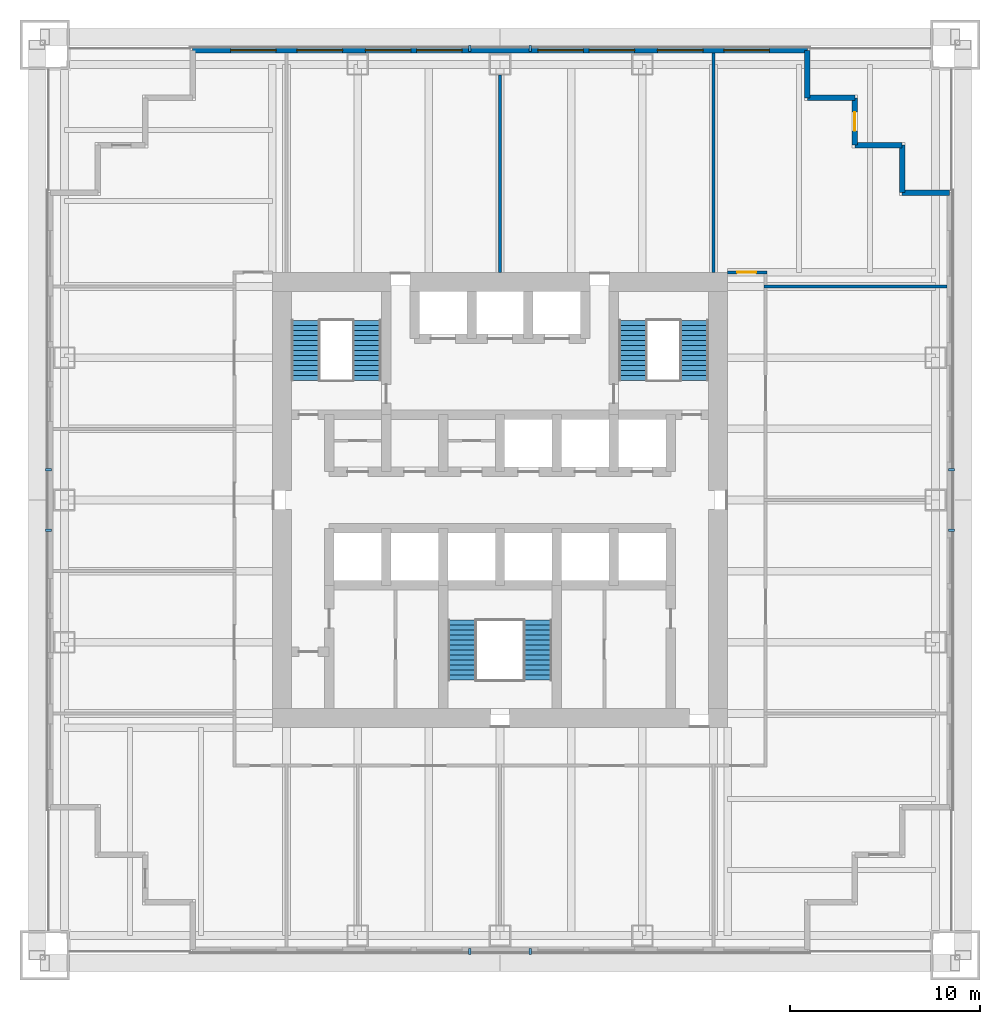
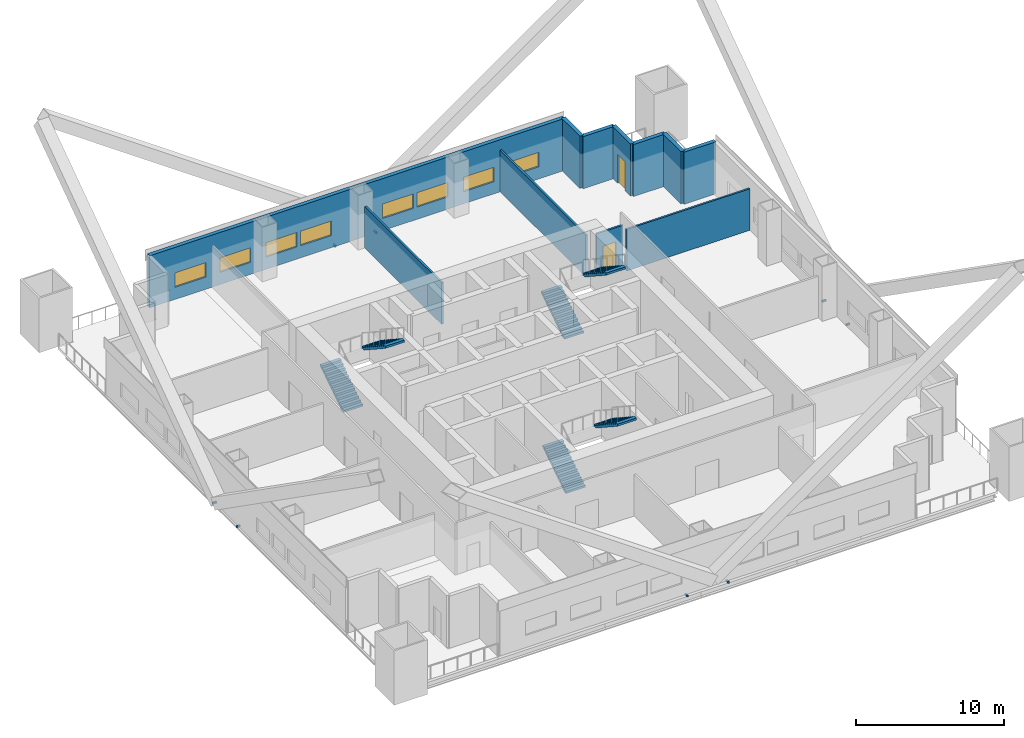
# One storey, part 5 of 7: 11 walls, 8 discrete accessories, 8 windows, 6 stair flights, 2 doors, 10 openings, 3 elements without a shape of their own.
"""IFC4 building model written with IfcOpenShell, lengths in metres."""

from ifc_helpers import new_model, si_unit, direction, frame, frame_2d, origin, origin_2d, place, context, subcontext, project, spatial, polyline, rectangle, outline, extrude, material, layer, layer_set, type_object, element, fill, aggregate, save


model = new_model("IFC4")

# Units and contexts
model_context = context("Model", 3, precision=1e-05, world=origin(), true_north=direction((0.0, 1.0)))
body_context = subcontext(model_context, "Body", "Model", "MODEL_VIEW")
ifc_project = project(units=[si_unit("LENGTHUNIT", "METRE"), si_unit("AREAUNIT", "SQUARE_METRE"), si_unit("VOLUMEUNIT", "CUBIC_METRE"), si_unit("PLANEANGLEUNIT", "RADIAN"), si_unit("MASSUNIT", "GRAM", prefix="KILO")], contexts=[model_context])

# Site, building, storey
site_placement = place(None, origin())
site = spatial("IfcSite", under=ifc_project, at=site_placement, CompositionType="ELEMENT")
building_placement = place(site_placement, origin())
building = spatial("IfcBuilding", under=site, at=building_placement, Name="Tarangal Relay Tower", CompositionType="ELEMENT")
storey_placement = place(building_placement, frame((0.0, 0.0, 153.89990234375)))
storey = spatial("IfcBuildingStorey", under=building, at=storey_placement, Name="L31", CompositionType="ELEMENT", Elevation=153.89990234375)

# Wall, openings, windows
ifc_material_1 = material(Name="Insulated precast concrete fc' 40 MPa", Category="concrete")
ifc_layer_1 = layer(ifc_material_1, 0.300048828125)
ifc_layer_set_1 = layer_set([ifc_layer_1], Name="Insulated precast concrete fc' 40 MPa")
wall_type_1 = type_object("IfcWallType", Name="Facade wall precast 300", PredefinedType="SOLIDWALL", material=ifc_layer_set_1)
wall_1_placement = place(storey_placement, frame((-16.199951171875, 23.699951171875, 0.0), z_axis=(0.0, 0.0, 1.0), x_axis=(1.0, 0.0, 0.0)))
wall_1 = element("IfcWall", 1, at=wall_1_placement, inside=storey, type_object=wall_type_1, Name="Facade wall N facade L31", PredefinedType="SOLIDWALL", context=body_context, shape_type="SweptSolid", body=[
    extrude(rectangle(XDim=32.39990234375, YDim=0.300048828125, at=frame_2d((16.199951171875, 0.0))), origin(), (0.0, 0.0, 1.0), 4.300048828125),
])
opening_1_placement = place(wall_1_placement, frame((2.0, 0.0, 1.0)))
opening_1 = element("IfcOpeningElement", 2, at=opening_1_placement, cuts=wall_1, Name="Opening WN1", PredefinedType="OPENING", context=body_context, shape_type="SweptSolid", body=[
    extrude(rectangle(XDim=2.39990234375, YDim=1.199951171875, at=frame_2d((1.199951171875, 0.60009765625))), frame((0.0, 0.159912109375, 0.0), z_axis=(0.0, -1.0, 0.0), x_axis=(1.0, 0.0, 0.0)), (0.0, 0.0, 1.0), 0.320068359375),
])
opening_2_placement = place(wall_1_placement, frame((5.5, 0.0, 1.0)))
opening_2 = element("IfcOpeningElement", 3, at=opening_2_placement, cuts=wall_1, Name="Opening WN1", PredefinedType="OPENING", context=body_context, shape_type="SweptSolid", body=[
    extrude(rectangle(XDim=2.39990234375, YDim=1.199951171875, at=frame_2d((1.199951171875, 0.60009765625))), frame((0.0, 0.159912109375, 0.0), z_axis=(0.0, -1.0, 0.0), x_axis=(1.0, 0.0, 0.0)), (0.0, 0.0, 1.0), 0.320068359375),
])
opening_3_placement = place(wall_1_placement, frame((9.10009765625, 0.0, 1.0)))
opening_3 = element("IfcOpeningElement", 4, at=opening_3_placement, cuts=wall_1, Name="Opening WN1", PredefinedType="OPENING", context=body_context, shape_type="SweptSolid", body=[
    extrude(rectangle(XDim=2.39990234375, YDim=1.199951171875, at=frame_2d((1.199951171875, 0.60009765625))), frame((0.0, 0.159912109375, 0.0), z_axis=(0.0, -1.0, 0.0), x_axis=(1.0, 0.0, 0.0)), (0.0, 0.0, 1.0), 0.320068359375),
])
opening_4_placement = place(wall_1_placement, frame((11.800048828125, 0.0, 1.0)))
opening_4 = element("IfcOpeningElement", 5, at=opening_4_placement, cuts=wall_1, Name="Opening WN1", PredefinedType="OPENING", context=body_context, shape_type="SweptSolid", body=[
    extrude(rectangle(XDim=2.39990234375, YDim=1.199951171875, at=frame_2d((1.199951171875, 0.60009765625))), frame((0.0, 0.159912109375, 0.0), z_axis=(0.0, -1.0, 0.0), x_axis=(1.0, 0.0, 0.0)), (0.0, 0.0, 1.0), 0.320068359375),
])
opening_5_placement = place(wall_1_placement, frame((18.199951171875, 0.0, 1.0)))
opening_5 = element("IfcOpeningElement", 6, at=opening_5_placement, cuts=wall_1, Name="Opening WN1", PredefinedType="OPENING", context=body_context, shape_type="SweptSolid", body=[
    extrude(rectangle(XDim=2.39990234375, YDim=1.199951171875, at=frame_2d((1.199951171875, 0.60009765625))), frame((0.0, 0.159912109375, 0.0), z_axis=(0.0, -1.0, 0.0), x_axis=(1.0, 0.0, 0.0)), (0.0, 0.0, 1.0), 0.320068359375),
])
opening_6_placement = place(wall_1_placement, frame((20.89990234375, 0.0, 1.0)))
opening_6 = element("IfcOpeningElement", 7, at=opening_6_placement, cuts=wall_1, Name="Opening WN1", PredefinedType="OPENING", context=body_context, shape_type="SweptSolid", body=[
    extrude(rectangle(XDim=2.39990234375, YDim=1.199951171875, at=frame_2d((1.199951171875, 0.60009765625))), frame((0.0, 0.159912109375, 0.0), z_axis=(0.0, -1.0, 0.0), x_axis=(1.0, 0.0, 0.0)), (0.0, 0.0, 1.0), 0.320068359375),
])
opening_7_placement = place(wall_1_placement, frame((24.5, 0.0, 1.0)))
opening_7 = element("IfcOpeningElement", 8, at=opening_7_placement, cuts=wall_1, Name="Opening WN1", PredefinedType="OPENING", context=body_context, shape_type="SweptSolid", body=[
    extrude(rectangle(XDim=2.39990234375, YDim=1.199951171875, at=frame_2d((1.199951171875, 0.60009765625))), frame((0.0, 0.159912109375, 0.0), z_axis=(0.0, -1.0, 0.0), x_axis=(1.0, 0.0, 0.0)), (0.0, 0.0, 1.0), 0.320068359375),
])
opening_8_placement = place(wall_1_placement, frame((28.0, 0.0, 1.0)))
opening_8 = element("IfcOpeningElement", 9, at=opening_8_placement, cuts=wall_1, Name="Opening WN1", PredefinedType="OPENING", context=body_context, shape_type="SweptSolid", body=[
    extrude(rectangle(XDim=2.39990234375, YDim=1.199951171875, at=frame_2d((1.199951171875, 0.60009765625))), frame((0.0, 0.159912109375, 0.0), z_axis=(0.0, -1.0, 0.0), x_axis=(1.0, 0.0, 0.0)), (0.0, 0.0, 1.0), 0.320068359375),
])
ifc_material_2 = material(Name="Dark tinted double glazing in black aluminium frame", Category="aluminium")
window_type = type_object("IfcWindowType", Name="Ribbon window 2400 x 1200", PartitioningType="SINGLE_PANEL", PredefinedType="WINDOW", material=ifc_material_2)
window_1_placement = place(opening_1_placement, origin())
window_1 = element("IfcWindow", 10, at=window_1_placement, inside=storey, type_object=window_type, Name="Ribbon window WN1 N facade L31", OverallHeight=1.199951171875, OverallWidth=2.39990234375, PartitioningType="SINGLE_PANEL", PredefinedType="WINDOW", context=body_context, shape_type="SweptSolid", body=[
    extrude(rectangle(XDim=2.39990234375, YDim=1.199951171875, at=frame_2d((1.199951171875, 0.60009765625))), frame((0.0, 0.030029296875, 0.0), z_axis=(0.0, -1.0, 0.0), x_axis=(1.0, 0.0, 0.0)), (0.0, 0.0, 1.0), 0.06005859375),
])
fill(opening_1, window_1)
window_2_placement = place(opening_2_placement, origin())
window_2 = element("IfcWindow", 11, at=window_2_placement, inside=storey, type_object=window_type, Name="Ribbon window WN1 N facade L31", OverallHeight=1.199951171875, OverallWidth=2.39990234375, PartitioningType="SINGLE_PANEL", PredefinedType="WINDOW", context=body_context, shape_type="SweptSolid", body=[
    extrude(rectangle(XDim=2.39990234375, YDim=1.199951171875, at=frame_2d((1.199951171875, 0.60009765625))), frame((0.0, 0.030029296875, 0.0), z_axis=(0.0, -1.0, 0.0), x_axis=(1.0, 0.0, 0.0)), (0.0, 0.0, 1.0), 0.06005859375),
])
fill(opening_2, window_2)
window_3_placement = place(opening_3_placement, origin())
window_3 = element("IfcWindow", 12, at=window_3_placement, inside=storey, type_object=window_type, Name="Ribbon window WN1 N facade L31", OverallHeight=1.199951171875, OverallWidth=2.39990234375, PartitioningType="SINGLE_PANEL", PredefinedType="WINDOW", context=body_context, shape_type="SweptSolid", body=[
    extrude(rectangle(XDim=2.39990234375, YDim=1.199951171875, at=frame_2d((1.199951171875, 0.60009765625))), frame((0.0, 0.030029296875, 0.0), z_axis=(0.0, -1.0, 0.0), x_axis=(1.0, 0.0, 0.0)), (0.0, 0.0, 1.0), 0.06005859375),
])
fill(opening_3, window_3)
window_4_placement = place(opening_4_placement, origin())
window_4 = element("IfcWindow", 13, at=window_4_placement, inside=storey, type_object=window_type, Name="Ribbon window WN1 N facade L31", OverallHeight=1.199951171875, OverallWidth=2.39990234375, PartitioningType="SINGLE_PANEL", PredefinedType="WINDOW", context=body_context, shape_type="SweptSolid", body=[
    extrude(rectangle(XDim=2.39990234375, YDim=1.199951171875, at=frame_2d((1.199951171875, 0.60009765625))), frame((0.0, 0.030029296875, 0.0), z_axis=(0.0, -1.0, 0.0), x_axis=(1.0, 0.0, 0.0)), (0.0, 0.0, 1.0), 0.06005859375),
])
fill(opening_4, window_4)
window_5_placement = place(opening_5_placement, origin())
window_5 = element("IfcWindow", 14, at=window_5_placement, inside=storey, type_object=window_type, Name="Ribbon window WN1 N facade L31", OverallHeight=1.199951171875, OverallWidth=2.39990234375, PartitioningType="SINGLE_PANEL", PredefinedType="WINDOW", context=body_context, shape_type="SweptSolid", body=[
    extrude(rectangle(XDim=2.39990234375, YDim=1.199951171875, at=frame_2d((1.199951171875, 0.60009765625))), frame((0.0, 0.030029296875, 0.0), z_axis=(0.0, -1.0, 0.0), x_axis=(1.0, 0.0, 0.0)), (0.0, 0.0, 1.0), 0.06005859375),
])
fill(opening_5, window_5)
window_6_placement = place(opening_6_placement, origin())
window_6 = element("IfcWindow", 15, at=window_6_placement, inside=storey, type_object=window_type, Name="Ribbon window WN1 N facade L31", OverallHeight=1.199951171875, OverallWidth=2.39990234375, PartitioningType="SINGLE_PANEL", PredefinedType="WINDOW", context=body_context, shape_type="SweptSolid", body=[
    extrude(rectangle(XDim=2.39990234375, YDim=1.199951171875, at=frame_2d((1.199951171875, 0.60009765625))), frame((0.0, 0.030029296875, 0.0), z_axis=(0.0, -1.0, 0.0), x_axis=(1.0, 0.0, 0.0)), (0.0, 0.0, 1.0), 0.06005859375),
])
fill(opening_6, window_6)
window_7_placement = place(opening_7_placement, origin())
window_7 = element("IfcWindow", 16, at=window_7_placement, inside=storey, type_object=window_type, Name="Ribbon window WN1 N facade L31", OverallHeight=1.199951171875, OverallWidth=2.39990234375, PartitioningType="SINGLE_PANEL", PredefinedType="WINDOW", context=body_context, shape_type="SweptSolid", body=[
    extrude(rectangle(XDim=2.39990234375, YDim=1.199951171875, at=frame_2d((1.199951171875, 0.60009765625))), frame((0.0, 0.030029296875, 0.0), z_axis=(0.0, -1.0, 0.0), x_axis=(1.0, 0.0, 0.0)), (0.0, 0.0, 1.0), 0.06005859375),
])
fill(opening_7, window_7)
window_8_placement = place(opening_8_placement, origin())
window_8 = element("IfcWindow", 17, at=window_8_placement, inside=storey, type_object=window_type, Name="Ribbon window WN1 N facade L31", OverallHeight=1.199951171875, OverallWidth=2.39990234375, PartitioningType="SINGLE_PANEL", PredefinedType="WINDOW", context=body_context, shape_type="SweptSolid", body=[
    extrude(rectangle(XDim=2.39990234375, YDim=1.199951171875, at=frame_2d((1.199951171875, 0.60009765625))), frame((0.0, 0.030029296875, 0.0), z_axis=(0.0, -1.0, 0.0), x_axis=(1.0, 0.0, 0.0)), (0.0, 0.0, 1.0), 0.06005859375),
])
fill(opening_8, window_8)

# Walls
for number, where, z_axis, x_axis, name in (
    (18, (16.199951171875, 23.699951171875, 0.0), (0.0, 0.0, 1.0), (0.0, -1.0, 0.0), "Facade wall N facade L31"),
    (19, (16.199951171875, 21.199951171875, 0.0), (0.0, 0.0, 1.0), (1.0, 0.0, 0.0), "Facade wall N facade L31"),
):
    element("IfcWall", number, at=place(storey_placement, frame(where, z_axis=z_axis, x_axis=x_axis)), inside=storey, type_object=wall_type_1, Name=name, PredefinedType="SOLIDWALL", context=body_context, shape_type="SweptSolid", body=[
        extrude(rectangle(XDim=2.5, YDim=0.300048828125, at=frame_2d((1.25, 0.0))), origin(), (0.0, 0.0, 1.0), 4.300048828125),
    ])

# Wall, opening, door
wall_2_placement = place(storey_placement, frame((18.699951171875, 21.199951171875, 0.0), z_axis=(0.0, 0.0, 1.0), x_axis=(0.0, -1.0, 0.0)))
wall_2 = element("IfcWall", 20, at=wall_2_placement, inside=storey, type_object=wall_type_1, Name="Facade wall N facade L31", PredefinedType="SOLIDWALL", context=body_context, shape_type="SweptSolid", body=[
    extrude(rectangle(XDim=2.5, YDim=0.300048828125, at=frame_2d((1.25, 0.0))), origin(), (0.0, 0.0, 1.0), 4.300048828125),
])
opening_9_placement = place(wall_2_placement, frame((0.75, 0.0, 0.0)))
opening_9 = element("IfcOpeningElement", 21, at=opening_9_placement, cuts=wall_2, Name="Opening TD1", PredefinedType="OPENING", context=body_context, shape_type="SweptSolid", body=[
    extrude(rectangle(XDim=1.0, YDim=2.39990234375, at=frame_2d((0.5, 1.199951171875))), frame((0.0, 0.159912109375, 0.0), z_axis=(0.0, -1.0, 0.0), x_axis=(1.0, 0.0, 0.0)), (0.0, 0.0, 1.0), 0.320068359375),
])
ifc_material_3 = material(Name="Aluminium glazed door", Category="aluminium")
door_type_1 = type_object("IfcDoorType", Name="Terrace door 1000 x 2400", OperationType="SINGLE_SWING_RIGHT", PredefinedType="DOOR", material=ifc_material_3)
door_1_placement = place(opening_9_placement, origin())
door_1 = element("IfcDoor", 22, at=door_1_placement, inside=storey, type_object=door_type_1, Name="Terrace door TD1 NE L31", OperationType="SINGLE_SWING_RIGHT", OverallHeight=2.39990234375, OverallWidth=1.0, PredefinedType="DOOR", context=body_context, shape_type="SweptSolid", body=[
    extrude(rectangle(XDim=1.0, YDim=2.39990234375, at=frame_2d((0.5, 1.199951171875))), frame((0.0, 0.02490234375, 0.0), z_axis=(0.0, -1.0, 0.0), x_axis=(1.0, 0.0, 0.0)), (0.0, 0.0, 1.0), 0.050048828125),
])
fill(opening_9, door_1)

# Walls
for number, where, z_axis, x_axis, name in (
    (23, (18.699951171875, 18.699951171875, 0.0), (0.0, 0.0, 1.0), (1.0, 0.0, 0.0), "Facade wall N facade L31"),
    (24, (21.199951171875, 18.699951171875, 0.0), (0.0, 0.0, 1.0), (0.0, -1.0, 0.0), "Facade wall N facade L31"),
    (25, (21.199951171875, 16.199951171875, 0.0), (0.0, 0.0, 1.0), (1.0, 0.0, 0.0), "Facade wall N facade L31"),
):
    element("IfcWall", number, at=place(storey_placement, frame(where, z_axis=z_axis, x_axis=x_axis)), inside=storey, type_object=wall_type_1, Name=name, PredefinedType="SOLIDWALL", context=body_context, shape_type="SweptSolid", body=[
        extrude(rectangle(XDim=2.5, YDim=0.300048828125, at=frame_2d((1.25, 0.0))), origin(), (0.0, 0.0, 1.0), 4.300048828125),
    ])
ifc_material_4 = material(Name="Gypsum board on steel studs", Category="steel")
ifc_layer_2 = layer(ifc_material_4, 0.14990234375)
ifc_layer_set_2 = layer_set([ifc_layer_2], Name="Partition 150")
wall_type_2 = type_object("IfcWallType", Name="Partition 150", PredefinedType="PARTITIONING", material=ifc_layer_set_2)
wall_3_placement = place(storey_placement, frame((13.925048828125, 11.25, 0.0), z_axis=(0.0, 0.0, 1.0), x_axis=(1.0, 0.0, 0.0)))
element("IfcWall", 26, at=wall_3_placement, inside=storey, type_object=wall_type_2, Name="Partition PT1 L31", PredefinedType="PARTITIONING", context=body_context, shape_type="SweptSolid", body=[
    extrude(rectangle(XDim=9.625, YDim=0.14990234375, at=frame_2d((4.8125, 0.0))), origin(), (0.0, 0.0, 1.0), 3.431396484375),
])

# Wall, opening, door
wall_4_placement = place(storey_placement, frame((12.0, 12.0, 0.0), z_axis=(0.0, 0.0, 1.0), x_axis=(1.0, 0.0, 0.0)))
wall_4 = element("IfcWall", 27, at=wall_4_placement, inside=storey, type_object=wall_type_2, Name="Partition PT1 L31", PredefinedType="PARTITIONING", context=body_context, shape_type="SweptSolid", body=[
    extrude(rectangle(XDim=2.074951171875, YDim=0.14990234375, at=frame_2d((1.03759765625, 0.0))), origin(), (0.0, 0.0, 1.0), 3.2841796875),
])
opening_10_placement = place(wall_4_placement, frame((0.5, 0.0, 0.0)))
opening_10 = element("IfcOpeningElement", 28, at=opening_10_placement, cuts=wall_4, Name="Opening D2", PredefinedType="OPENING", context=body_context, shape_type="SweptSolid", body=[
    extrude(rectangle(XDim=1.0, YDim=2.10009765625, at=frame_2d((0.5, 1.050048828125))), frame((0.0, 0.0849609375, 0.0), z_axis=(0.0, -1.0, 0.0), x_axis=(1.0, 0.0, 0.0)), (0.0, 0.0, 1.0), 0.169921875),
])
ifc_material_5 = material(Name="Hardwood door", Category="wood")
door_type_2 = type_object("IfcDoorType", Name="Door 1000 x 2100", OperationType="SINGLE_SWING_LEFT", PredefinedType="DOOR", material=ifc_material_5)
door_2_placement = place(opening_10_placement, origin())
door_2 = element("IfcDoor", 29, at=door_2_placement, inside=storey, type_object=door_type_2, Name="Door D2 to carrier staff office L31-12", OperationType="SINGLE_SWING_LEFT", OverallHeight=2.10009765625, OverallWidth=1.0, PredefinedType="DOOR", context=body_context, shape_type="SweptSolid", body=[
    extrude(rectangle(XDim=1.0, YDim=2.10009765625, at=frame_2d((0.5, 1.050048828125))), frame((0.0, 0.02490234375, 0.0), z_axis=(0.0, -1.0, 0.0), x_axis=(1.0, 0.0, 0.0)), (0.0, 0.0, 1.0), 0.050048828125),
])
fill(opening_10, door_2)

# Walls
wall_5_placement = place(storey_placement, frame((0.0, 12.0, 0.0), z_axis=(0.0, 0.0, 1.0), x_axis=(0.0, 1.0, 0.0)))
element("IfcWall", 30, at=wall_5_placement, inside=storey, type_object=wall_type_2, Name="Partition PT1 L31", PredefinedType="PARTITIONING", context=body_context, shape_type="SweptSolid", body=[
    extrude(rectangle(XDim=10.389892578125, YDim=0.14990234375, at=frame_2d((5.19482421875, 0.0))), origin(), (0.0, 0.0, 1.0), 3.431396484375),
])
wall_6_placement = place(storey_placement, frame((11.25, 12.0, 0.0), z_axis=(0.0, 0.0, 1.0), x_axis=(0.0, 1.0, 0.0)))
element("IfcWall", 31, at=wall_6_placement, inside=storey, type_object=wall_type_2, Name="Partition PT1 L31", PredefinedType="PARTITIONING", context=body_context, shape_type="SweptSolid", body=[
    extrude(rectangle(XDim=11.550048828125, YDim=0.14990234375, at=frame_2d((5.77490234375, 0.0))), origin(), (0.0, 0.0, 1.0), 3.431396484375),
])

# Stair, stair flights
ifc_material_6 = material(Name="Steel ASTM A992 stair flight", Category="steel")
stair_type = type_object("IfcStairType", Name="Core stair 1500", PredefinedType="HALF_TURN_STAIR", material=ifc_material_6)
stair_1_placement = place(storey_placement, origin())
stair_1 = element("IfcStair", 32, at=stair_1_placement, inside=storey, type_object=stair_type, Name="Stair ST-A L31", PredefinedType="HALF_TURN_STAIR")
stair_flight_type = type_object("IfcStairFlightType", Name="Steel stair flight 1500, 13 risers 173 x 264", PredefinedType="STRAIGHT", material=ifc_material_6)
stair_flight_1_placement = place(storey_placement, frame((-10.25, 6.300048828125, 0.0), z_axis=(0.0, 0.0, 1.0), x_axis=(0.0, 1.0, 0.0)))
stair_flight_1 = element("IfcStairFlight", 33, at=stair_flight_1_placement, type_object=stair_flight_type, Name="ST-A flight 1", NumberOfRisers=13, NumberOfTreads=12, PredefinedType="STRAIGHT", RiserHeight=0.173076923, TreadLength=0.264, context=body_context, shape_type="SweptSolid", body=[
    extrude(outline(polyline([(0.0, 0.0), (0.0, 0.173095703125), (0.263916015625, 0.173095703125), (0.263916015625, 0.34619140625), (0.528076171875, 0.34619140625), (0.528076171875, 0.519287109375), (0.7919921875, 0.519287109375), (0.7919921875, 0.6923828125), (1.055908203125, 0.6923828125), (1.055908203125, 0.865478515625), (1.320068359375, 0.865478515625), (1.320068359375, 1.03857421875), (1.583984375, 1.03857421875), (1.583984375, 1.21142578125), (1.847900390625, 1.21142578125), (1.847900390625, 1.384521484375), (2.112060546875, 1.384521484375), (2.112060546875, 1.5576171875), (2.3759765625, 1.5576171875), (2.3759765625, 1.730712890625), (2.639892578125, 1.730712890625), (2.639892578125, 1.90380859375), (2.904052734375, 1.90380859375), (2.904052734375, 2.076904296875), (3.16796875, 2.076904296875), (3.16796875, 2.25), (3.16796875, 1.897705078125), (0.2734375, 0.0), (0.0, 0.0)])), frame((0.0, 0.75, 0.0), z_axis=(0.0, -1.0, 0.0), x_axis=(1.0, 0.0, 0.0)), (0.0, 0.0, 1.0), 1.5),
])
stair_flight_2_placement = place(storey_placement, frame((-7.0, 9.468017578125, 2.25), z_axis=(0.0, 0.0, 1.0), x_axis=(0.0, -1.0, 0.0)))
stair_flight_2 = element("IfcStairFlight", 34, at=stair_flight_2_placement, type_object=stair_flight_type, Name="ST-A flight 2", NumberOfRisers=13, NumberOfTreads=12, PredefinedType="STRAIGHT", RiserHeight=0.173076923, TreadLength=0.264, context=body_context, shape_type="SweptSolid", body=[
    extrude(outline(polyline([(0.0, 0.0), (0.0, 0.173095703125), (0.263916015625, 0.173095703125), (0.263916015625, 0.34619140625), (0.528076171875, 0.34619140625), (0.528076171875, 0.519287109375), (0.7919921875, 0.519287109375), (0.7919921875, 0.6923828125), (1.055908203125, 0.6923828125), (1.055908203125, 0.865478515625), (1.320068359375, 0.865478515625), (1.320068359375, 1.03857421875), (1.583984375, 1.03857421875), (1.583984375, 1.21142578125), (1.847900390625, 1.21142578125), (1.847900390625, 1.384521484375), (2.112060546875, 1.384521484375), (2.112060546875, 1.5576171875), (2.3759765625, 1.5576171875), (2.3759765625, 1.730712890625), (2.639892578125, 1.730712890625), (2.639892578125, 1.90380859375), (2.904052734375, 1.90380859375), (2.904052734375, 2.076904296875), (3.16796875, 2.076904296875), (3.16796875, 2.25), (3.16796875, 1.897705078125), (0.2734375, 0.0), (0.0, 0.0)])), frame((0.0, 0.75, 0.0), z_axis=(0.0, -1.0, 0.0), x_axis=(1.0, 0.0, 0.0)), (0.0, 0.0, 1.0), 1.5),
])
aggregate(stair_1, [stair_flight_1, stair_flight_2])

stair_2_placement = place(storey_placement, origin())
stair_2 = element("IfcStair", 35, at=stair_2_placement, inside=storey, type_object=stair_type, Name="Stair ST-B L31", PredefinedType="HALF_TURN_STAIR")
stair_flight_3_placement = place(storey_placement, frame((7.0, 6.300048828125, 0.0), z_axis=(0.0, 0.0, 1.0), x_axis=(0.0, 1.0, 0.0)))
stair_flight_3 = element("IfcStairFlight", 36, at=stair_flight_3_placement, type_object=stair_flight_type, Name="ST-B flight 1", NumberOfRisers=13, NumberOfTreads=12, PredefinedType="STRAIGHT", RiserHeight=0.173076923, TreadLength=0.264, context=body_context, shape_type="SweptSolid", body=[
    extrude(outline(polyline([(0.0, 0.0), (0.0, 0.173095703125), (0.263916015625, 0.173095703125), (0.263916015625, 0.34619140625), (0.528076171875, 0.34619140625), (0.528076171875, 0.519287109375), (0.7919921875, 0.519287109375), (0.7919921875, 0.6923828125), (1.055908203125, 0.6923828125), (1.055908203125, 0.865478515625), (1.320068359375, 0.865478515625), (1.320068359375, 1.03857421875), (1.583984375, 1.03857421875), (1.583984375, 1.21142578125), (1.847900390625, 1.21142578125), (1.847900390625, 1.384521484375), (2.112060546875, 1.384521484375), (2.112060546875, 1.5576171875), (2.3759765625, 1.5576171875), (2.3759765625, 1.730712890625), (2.639892578125, 1.730712890625), (2.639892578125, 1.90380859375), (2.904052734375, 1.90380859375), (2.904052734375, 2.076904296875), (3.16796875, 2.076904296875), (3.16796875, 2.25), (3.16796875, 1.897705078125), (0.2734375, 0.0), (0.0, 0.0)])), frame((0.0, 0.75, 0.0), z_axis=(0.0, -1.0, 0.0), x_axis=(1.0, 0.0, 0.0)), (0.0, 0.0, 1.0), 1.5),
])
stair_flight_4_placement = place(storey_placement, frame((10.25, 9.468017578125, 2.25), z_axis=(0.0, 0.0, 1.0), x_axis=(0.0, -1.0, 0.0)))
stair_flight_4 = element("IfcStairFlight", 37, at=stair_flight_4_placement, type_object=stair_flight_type, Name="ST-B flight 2", NumberOfRisers=13, NumberOfTreads=12, PredefinedType="STRAIGHT", RiserHeight=0.173076923, TreadLength=0.264, context=body_context, shape_type="SweptSolid", body=[
    extrude(outline(polyline([(0.0, 0.0), (0.0, 0.173095703125), (0.263916015625, 0.173095703125), (0.263916015625, 0.34619140625), (0.528076171875, 0.34619140625), (0.528076171875, 0.519287109375), (0.7919921875, 0.519287109375), (0.7919921875, 0.6923828125), (1.055908203125, 0.6923828125), (1.055908203125, 0.865478515625), (1.320068359375, 0.865478515625), (1.320068359375, 1.03857421875), (1.583984375, 1.03857421875), (1.583984375, 1.21142578125), (1.847900390625, 1.21142578125), (1.847900390625, 1.384521484375), (2.112060546875, 1.384521484375), (2.112060546875, 1.5576171875), (2.3759765625, 1.5576171875), (2.3759765625, 1.730712890625), (2.639892578125, 1.730712890625), (2.639892578125, 1.90380859375), (2.904052734375, 1.90380859375), (2.904052734375, 2.076904296875), (3.16796875, 2.076904296875), (3.16796875, 2.25), (3.16796875, 1.897705078125), (0.2734375, 0.0), (0.0, 0.0)])), frame((0.0, 0.75, 0.0), z_axis=(0.0, -1.0, 0.0), x_axis=(1.0, 0.0, 0.0)), (0.0, 0.0, 1.0), 1.5),
])
aggregate(stair_2, [stair_flight_3, stair_flight_4])

stair_3_placement = place(storey_placement, origin())
stair_3 = element("IfcStair", 38, at=stair_3_placement, inside=storey, type_object=stair_type, Name="Stair ST-C L31", PredefinedType="HALF_TURN_STAIR")
stair_flight_5_placement = place(storey_placement, frame((-2.0, -9.5, 0.0), z_axis=(0.0, 0.0, 1.0), x_axis=(0.0, 1.0, 0.0)))
stair_flight_5 = element("IfcStairFlight", 39, at=stair_flight_5_placement, type_object=stair_flight_type, Name="ST-C flight 1", NumberOfRisers=13, NumberOfTreads=12, PredefinedType="STRAIGHT", RiserHeight=0.173076923, TreadLength=0.264, context=body_context, shape_type="SweptSolid", body=[
    extrude(outline(polyline([(0.0, 0.0), (0.0, 0.173095703125), (0.263916015625, 0.173095703125), (0.263916015625, 0.34619140625), (0.528076171875, 0.34619140625), (0.528076171875, 0.519287109375), (0.7919921875, 0.519287109375), (0.7919921875, 0.6923828125), (1.055908203125, 0.6923828125), (1.055908203125, 0.865478515625), (1.320068359375, 0.865478515625), (1.320068359375, 1.03857421875), (1.583984375, 1.03857421875), (1.583984375, 1.21142578125), (1.847900390625, 1.21142578125), (1.847900390625, 1.384521484375), (2.112060546875, 1.384521484375), (2.112060546875, 1.5576171875), (2.3759765625, 1.5576171875), (2.3759765625, 1.730712890625), (2.639892578125, 1.730712890625), (2.639892578125, 1.90380859375), (2.904052734375, 1.90380859375), (2.904052734375, 2.076904296875), (3.16796875, 2.076904296875), (3.16796875, 2.25), (3.16796875, 1.897705078125), (0.2734375, 0.0), (0.0, 0.0)])), frame((0.0, 0.75, 0.0), z_axis=(0.0, -1.0, 0.0), x_axis=(1.0, 0.0, 0.0)), (0.0, 0.0, 1.0), 1.5),
])
stair_flight_6_placement = place(storey_placement, frame((2.0, -6.33203125, 2.25), z_axis=(0.0, 0.0, 1.0), x_axis=(0.0, -1.0, 0.0)))
stair_flight_6 = element("IfcStairFlight", 40, at=stair_flight_6_placement, type_object=stair_flight_type, Name="ST-C flight 2", NumberOfRisers=13, NumberOfTreads=12, PredefinedType="STRAIGHT", RiserHeight=0.173076923, TreadLength=0.264, context=body_context, shape_type="SweptSolid", body=[
    extrude(outline(polyline([(0.0, 0.0), (0.0, 0.173095703125), (0.263916015625, 0.173095703125), (0.263916015625, 0.34619140625), (0.528076171875, 0.34619140625), (0.528076171875, 0.519287109375), (0.7919921875, 0.519287109375), (0.7919921875, 0.6923828125), (1.055908203125, 0.6923828125), (1.055908203125, 0.865478515625), (1.320068359375, 0.865478515625), (1.320068359375, 1.03857421875), (1.583984375, 1.03857421875), (1.583984375, 1.21142578125), (1.847900390625, 1.21142578125), (1.847900390625, 1.384521484375), (2.112060546875, 1.384521484375), (2.112060546875, 1.5576171875), (2.3759765625, 1.5576171875), (2.3759765625, 1.730712890625), (2.639892578125, 1.730712890625), (2.639892578125, 1.90380859375), (2.904052734375, 1.90380859375), (2.904052734375, 2.076904296875), (3.16796875, 2.076904296875), (3.16796875, 2.25), (3.16796875, 1.897705078125), (0.2734375, 0.0), (0.0, 0.0)])), frame((0.0, 0.75, 0.0), z_axis=(0.0, -1.0, 0.0), x_axis=(1.0, 0.0, 0.0)), (0.0, 0.0, 1.0), 1.5),
])
aggregate(stair_3, [stair_flight_5, stair_flight_6])

# Discrete accessories
ifc_material_7 = material(Name="Steel ASTM A572 Grade 50", Category="steel")
discrete_accessory_type = type_object("IfcDiscreteAccessoryType", Name="Brace crossing restraint BRT2", PredefinedType="BRACKET", material=ifc_material_7)
for number, where, z_axis, x_axis, name in (
    (41, (-1.60009765625, 23.800048828125, -0.1748046875), (0.0, 0.0, 1.0), (1.0, 0.0, 0.0), "Brace crossing restraint BRT2 N L31"),
    (42, (1.60009765625, 23.800048828125, -0.1748046875), (0.0, 0.0, 1.0), (1.0, 0.0, 0.0), "Brace crossing restraint BRT2 N L31"),
):
    element("IfcDiscreteAccessory", number, at=place(storey_placement, frame(where, z_axis=z_axis, x_axis=x_axis)), inside=storey, type_object=discrete_accessory_type, Name=name, PredefinedType="BRACKET", context=body_context, shape_type="SweptSolid", body=[
        extrude(rectangle(XDim=0.1201171875, YDim=0.300048828125, at=origin_2d()), origin(), (0.0, 0.0, 1.0), 0.14990234375),
    ])
for number, where, z_axis, x_axis, name in (
    (43, (23.800048828125, 1.60009765625, -0.1748046875), (0.0, 0.0, 1.0), (1.0, 0.0, 0.0), "Brace crossing restraint BRT2 E L31"),
    (44, (23.800048828125, -1.60009765625, -0.1748046875), (0.0, 0.0, 1.0), (1.0, 0.0, 0.0), "Brace crossing restraint BRT2 E L31"),
):
    element("IfcDiscreteAccessory", number, at=place(storey_placement, frame(where, z_axis=z_axis, x_axis=x_axis)), inside=storey, type_object=discrete_accessory_type, Name=name, PredefinedType="BRACKET", context=body_context, shape_type="SweptSolid", body=[
        extrude(rectangle(XDim=0.300048828125, YDim=0.1201171875, at=origin_2d()), origin(), (0.0, 0.0, 1.0), 0.14990234375),
    ])
for number, where, z_axis, x_axis, name in (
    (45, (1.60009765625, -23.800048828125, -0.1748046875), (0.0, 0.0, 1.0), (1.0, 0.0, 0.0), "Brace crossing restraint BRT2 S L31"),
    (46, (-1.60009765625, -23.800048828125, -0.1748046875), (0.0, 0.0, 1.0), (1.0, 0.0, 0.0), "Brace crossing restraint BRT2 S L31"),
):
    element("IfcDiscreteAccessory", number, at=place(storey_placement, frame(where, z_axis=z_axis, x_axis=x_axis)), inside=storey, type_object=discrete_accessory_type, Name=name, PredefinedType="BRACKET", context=body_context, shape_type="SweptSolid", body=[
        extrude(rectangle(XDim=0.1201171875, YDim=0.300048828125, at=origin_2d()), origin(), (0.0, 0.0, 1.0), 0.14990234375),
    ])
for number, where, z_axis, x_axis, name in (
    (47, (-23.800048828125, -1.60009765625, -0.1748046875), (0.0, 0.0, 1.0), (1.0, 0.0, 0.0), "Brace crossing restraint BRT2 W L31"),
    (48, (-23.800048828125, 1.60009765625, -0.1748046875), (0.0, 0.0, 1.0), (1.0, 0.0, 0.0), "Brace crossing restraint BRT2 W L31"),
):
    element("IfcDiscreteAccessory", number, at=place(storey_placement, frame(where, z_axis=z_axis, x_axis=x_axis)), inside=storey, type_object=discrete_accessory_type, Name=name, PredefinedType="BRACKET", context=body_context, shape_type="SweptSolid", body=[
        extrude(rectangle(XDim=0.300048828125, YDim=0.1201171875, at=origin_2d()), origin(), (0.0, 0.0, 1.0), 0.14990234375),
    ])

save(model, "model.ifc")
